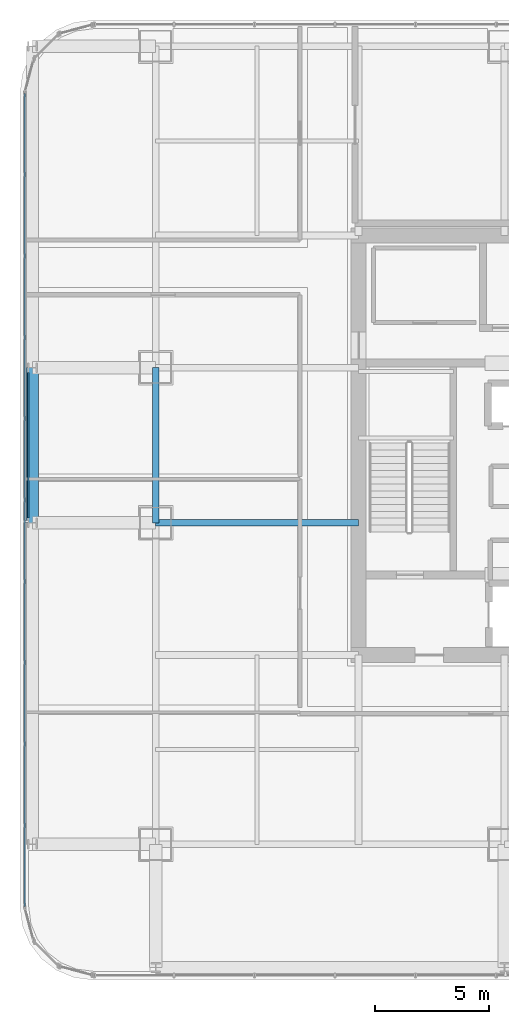
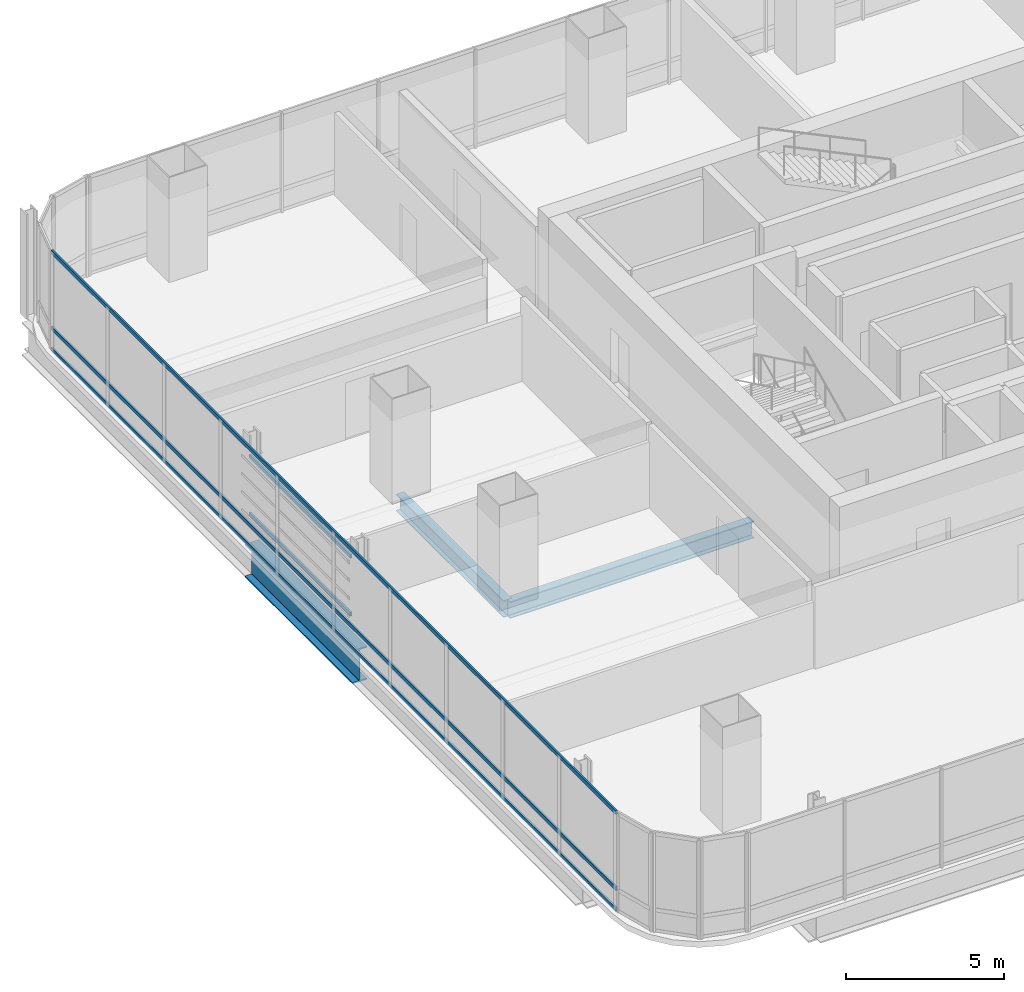
# One storey, part 10 of 36: 5 members, 3 beams, 1 element without a shape of its own.
"""IFC4 building model written with IfcOpenShell, lengths in metres."""

from ifc_helpers import new_model, si_unit, direction, frame, origin, origin_2d, place, context, subcontext, project, spatial, hollow_rectangle, i_section, extrude, material, material_profile, profile_set, type_object, element, aggregate, save


model = new_model("IFC4")

# Units and contexts
model_context = context("Model", 3, precision=1e-05, world=origin(), true_north=direction((0.0, 1.0)))
body_context = subcontext(model_context, "Body", "Model", "MODEL_VIEW")
ifc_project = project(units=[si_unit("LENGTHUNIT", "METRE"), si_unit("AREAUNIT", "SQUARE_METRE"), si_unit("VOLUMEUNIT", "CUBIC_METRE"), si_unit("PLANEANGLEUNIT", "RADIAN"), si_unit("MASSUNIT", "GRAM", prefix="KILO")], contexts=[model_context])

# Site, building, storey
site_placement = place(None, origin())
site = spatial("IfcSite", under=ifc_project, at=site_placement, CompositionType="ELEMENT")
building_placement = place(site_placement, origin())
building = spatial("IfcBuilding", under=site, at=building_placement, Name="Punatoya Terracotta Tower", CompositionType="ELEMENT")
storey_placement = place(building_placement, frame((0.0, 0.0, 176.25)))
storey = spatial("IfcBuildingStorey", under=building, at=storey_placement, Name="L41", CompositionType="ELEMENT", Elevation=176.25)

# Beams
ifc_material_1 = material(Name="Steel S355", Category="steel")
ifc_material_profile_1 = material_profile(ifc_material_1, i_section(OverallWidth=0.300048828125, OverallDepth=0.64990234375, WebThickness=0.01611328125, FlangeThickness=0.031005859375, FilletRadius=0.01806640625, at=origin_2d()))
ifc_profile_set_1 = profile_set([ifc_material_profile_1], Name="Steel S355")
beam_type_1 = type_object("IfcBeamType", Name="BM-PRI-650", PredefinedType="BEAM", material=ifc_profile_set_1)
beam_1_placement = place(storey_placement, frame((-19.10009765625, -3.39990234375, -0.544921875), z_axis=(0.0, 1.0, 0.0), x_axis=(-1.0, 0.0, 0.0)))
element("IfcBeam", 1, at=beam_1_placement, inside=storey, type_object=beam_type_1, Name="BM-L41-RG-W2", PredefinedType="BEAM", context=body_context, shape_type="SweptSolid", body=[
    extrude(i_section(OverallWidth=0.300048828125, OverallDepth=0.64990234375, WebThickness=0.01611328125, FlangeThickness=0.031005859375, FilletRadius=0.01806640625, at=origin_2d()), origin(), (0.0, 0.0, 1.0), 6.7998046875),
])
beam_2_placement = place(storey_placement, frame((-19.10009765625, -3.39990234375, -0.544921875), z_axis=(1.0, 0.0, 0.0), x_axis=(0.0, 1.0, 0.0)))
element("IfcBeam", 2, at=beam_2_placement, inside=storey, type_object=beam_type_1, Name="BM-L41-PR-WD", PredefinedType="BEAM", context=body_context, shape_type="SweptSolid", body=[
    extrude(i_section(OverallWidth=0.300048828125, OverallDepth=0.64990234375, WebThickness=0.01611328125, FlangeThickness=0.031005859375, FilletRadius=0.01806640625, at=origin_2d()), origin(), (0.0, 0.0, 1.0), 8.900146484375),
])
ifc_material_2 = material(Name="Steel S460", Category="steel")
ifc_material_profile_2 = material_profile(ifc_material_2, i_section(OverallWidth=0.52001953125, OverallDepth=1.280029296875, WebThickness=0.031982421875, FlangeThickness=0.050048828125, FilletRadius=0.01806640625, at=origin_2d()))
ifc_profile_set_2 = profile_set([ifc_material_profile_2], Name="Steel S460")
beam_type_2 = type_object("IfcBeamType", Name="BM-TG-NCK", PredefinedType="BEAM", material=ifc_profile_set_2)
beam_3_placement = place(storey_placement, frame((-24.5, -3.39990234375, -0.860107421875), z_axis=(0.0, 1.0, 0.0), x_axis=(-1.0, 0.0, 0.0)))
element("IfcBeam", 3, at=beam_3_placement, inside=storey, type_object=beam_type_2, Name="BM-L41-PER-W2", PredefinedType="BEAM", context=body_context, shape_type="SweptSolid", body=[
    extrude(i_section(OverallWidth=0.52001953125, OverallDepth=1.280029296875, WebThickness=0.031982421875, FlangeThickness=0.050048828125, FilletRadius=0.01806640625, at=origin_2d()), origin(), (0.0, 0.0, 1.0), 6.7998046875),
])

# Curtain wall, members
ifc_material_3 = material(Name="Aluminium 6063-T6 + Double Low-E Glass", Category="aluminium")
curtain_wall_type = type_object("IfcCurtainWallType", Name="CW-M2", PredefinedType="NOTDEFINED", material=ifc_material_3)
curtain_wall_placement = place(storey_placement, origin())
curtain_wall = element("IfcCurtainWall", 4, at=curtain_wall_placement, inside=storey, type_object=curtain_wall_type, Name="L41 Curtain Wall CW-L41-W13-1", PredefinedType="NOTDEFINED")
ifc_material_4 = material(Name="Aluminium 6063-T6", Category="aluminium")
ifc_material_profile_3 = material_profile(ifc_material_4, hollow_rectangle(XDim=0.068115234375, YDim=0.14990234375, WallThickness=0.00390625, at=origin_2d()))
ifc_profile_set_3 = profile_set([ifc_material_profile_3], Name="Aluminium 6063-T6")
member_type_1 = type_object("IfcMemberType", Name="CW-TRN-TYP", PredefinedType="USERDEFINED", material=ifc_profile_set_3)
member_1_placement = place(storey_placement, frame((-24.85009765625, 15.43701171875, 0.0400390625), z_axis=(0.0, -1.0, 0.0), x_axis=(1.0, 0.0, 0.0)))
member_1 = element("IfcMember", 5, at=member_1_placement, type_object=member_type_1, Name="CW-L41-W13-1 Transom 1", ObjectType="TRANSOM", PredefinedType="USERDEFINED", context=body_context, shape_type="SweptSolid", body=[
    extrude(hollow_rectangle(XDim=0.068115234375, YDim=0.14990234375, WallThickness=0.00390625, at=origin_2d()), origin(), (0.0, 0.0, 1.0), 35.673828125),
])
member_2_placement = place(storey_placement, frame((-24.85009765625, 15.43701171875, 0.85009765625), z_axis=(0.0, -1.0, 0.0), x_axis=(1.0, 0.0, 0.0)))
member_2 = element("IfcMember", 6, at=member_2_placement, type_object=member_type_1, Name="CW-L41-W13-1 Transom 2", ObjectType="TRANSOM", PredefinedType="USERDEFINED", context=body_context, shape_type="SweptSolid", body=[
    extrude(hollow_rectangle(XDim=0.068115234375, YDim=0.14990234375, WallThickness=0.00390625, at=origin_2d()), origin(), (0.0, 0.0, 1.0), 35.673828125),
])
member_3_placement = place(storey_placement, frame((-24.85009765625, 15.43701171875, 3.7900390625), z_axis=(0.0, -1.0, 0.0), x_axis=(1.0, 0.0, 0.0)))
member_3 = element("IfcMember", 7, at=member_3_placement, type_object=member_type_1, Name="CW-L41-W13-1 Transom 3", ObjectType="TRANSOM", PredefinedType="USERDEFINED", context=body_context, shape_type="SweptSolid", body=[
    extrude(hollow_rectangle(XDim=0.068115234375, YDim=0.14990234375, WallThickness=0.00390625, at=origin_2d()), origin(), (0.0, 0.0, 1.0), 35.673828125),
])
aggregate(curtain_wall, [member_1, member_2, member_3])

# Members
ifc_material_profile_4 = material_profile(ifc_material_1, hollow_rectangle(XDim=0.070068359375, YDim=0.139892578125, WallThickness=0.006103515625, at=origin_2d()))
ifc_profile_set_4 = profile_set([ifc_material_profile_4], Name="Steel S355")
member_type_2 = type_object("IfcMemberType", Name="MEM-BAG-RAIL", PredefinedType="USERDEFINED", material=ifc_profile_set_4)
for number, where, z_axis, x_axis, name in (
    (8, (-24.694580078125, -3.196044921875, 1.050048828125), (0.0, 1.0, 0.0), (-1.0, 0.0, 0.0), "L41 Terracotta Baguette Carrier Rail BAG-L41-W-R1"),
    (9, (-24.694580078125, -3.196044921875, 3.280029296875), (0.0, 1.0, 0.0), (-1.0, 0.0, 0.0), "L41 Terracotta Baguette Carrier Rail BAG-L41-W-R2"),
):
    element("IfcMember", number, at=place(storey_placement, frame(where, z_axis=z_axis, x_axis=x_axis)), inside=storey, type_object=member_type_2, Name=name, ObjectType="BAGUETTE", PredefinedType="USERDEFINED", context=body_context, shape_type="SweptSolid", body=[
        extrude(hollow_rectangle(XDim=0.070068359375, YDim=0.139892578125, WallThickness=0.006103515625, at=origin_2d()), origin(), (0.0, 0.0, 1.0), 6.39208984375),
    ])

save(model, "model.ifc")
